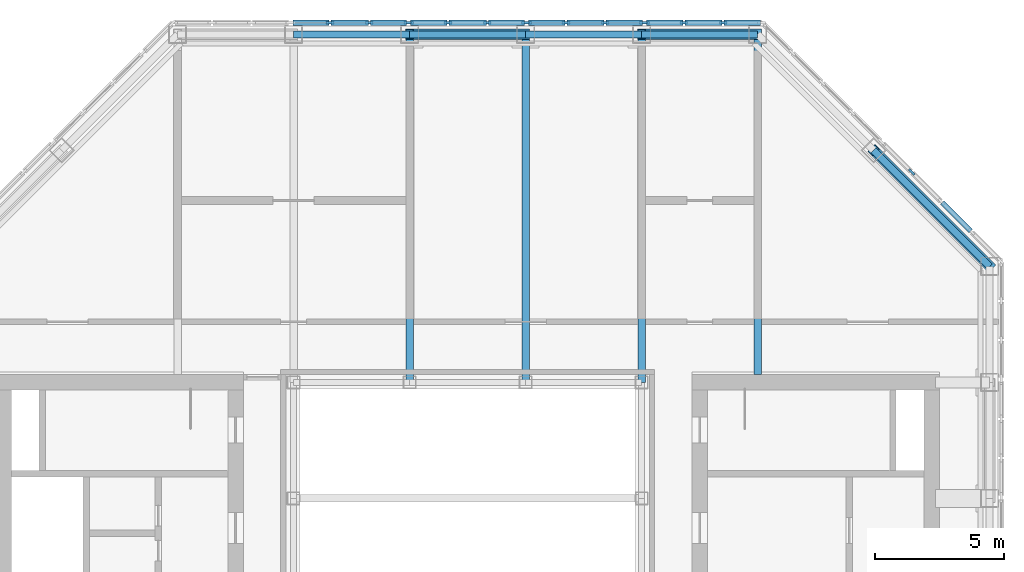
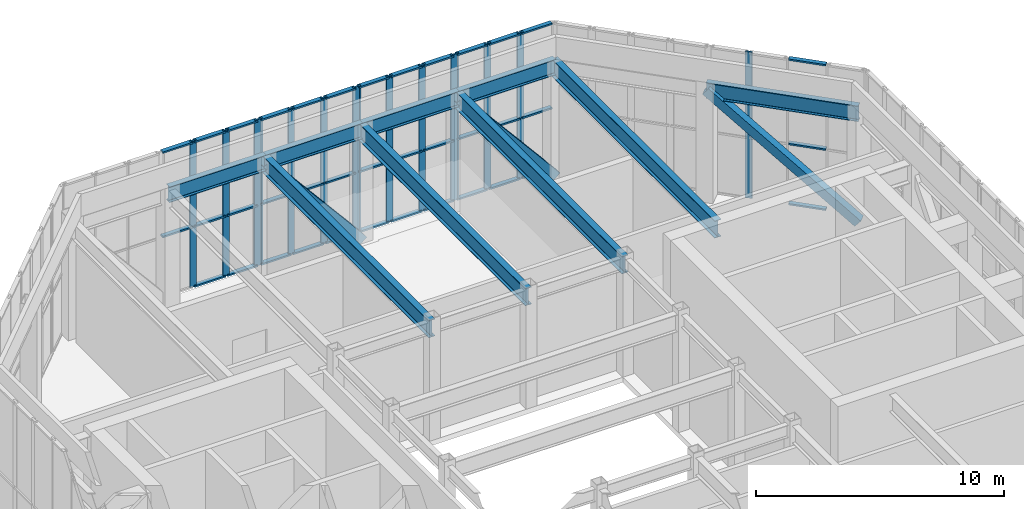
# One storey, part 8 of 15: 56 members, 9 beams, 5 elements without a shape of their own.
"""IFC4 building model written with IfcOpenShell, lengths in metres."""

from ifc_helpers import new_model, si_unit, direction, frame, origin, origin_2d, place, context, subcontext, project, spatial, rectangle, hollow_rectangle, i_section, extrude, material, material_profile, profile_set, type_object, element, aggregate, save


model = new_model("IFC4")

# Units and contexts
model_context = context("Model", 3, precision=1e-05, world=origin(), true_north=direction((0.0, 1.0)))
body_context = subcontext(model_context, "Body", "Model", "MODEL_VIEW")
ifc_project = project(units=[si_unit("LENGTHUNIT", "METRE"), si_unit("AREAUNIT", "SQUARE_METRE"), si_unit("VOLUMEUNIT", "CUBIC_METRE"), si_unit("PLANEANGLEUNIT", "RADIAN"), si_unit("MASSUNIT", "GRAM", prefix="KILO")], contexts=[model_context])

# Site, building, storey
site_placement = place(None, origin())
site = spatial("IfcSite", under=ifc_project, at=site_placement, CompositionType="ELEMENT")
building_placement = place(site_placement, origin())
building = spatial("IfcBuilding", under=site, at=building_placement, Name="Msasa Ring Tower", CompositionType="ELEMENT")
storey_placement = place(building_placement, frame((0.0, 0.0, 268.050048828125)))
storey = spatial("IfcBuildingStorey", under=building, at=storey_placement, Name="L69", CompositionType="ELEMENT", Elevation=268.050048828125)

# Curtain wall, members
ifc_material_1 = material(Name="Aluminium curtain wall with clear glass", Category="aluminium")
curtain_wall_type_1 = type_object("IfcCurtainWallType", Name="CW-L LANTERN CURTAIN WALL", PredefinedType="NOTDEFINED", material=ifc_material_1)
curtain_wall_1_placement = place(storey_placement, origin())
curtain_wall_1 = element("IfcCurtainWall", 1, at=curtain_wall_1_placement, inside=storey, type_object=curtain_wall_type_1, Name="Lantern curtain wall N2 L69", PredefinedType="NOTDEFINED")
ifc_material_2 = material(Name="Aluminium mullion", Category="aluminium")
ifc_material_profile_1 = material_profile(ifc_material_2, rectangle(XDim=0.080078125, YDim=0.300048828125, at=origin_2d()), Name="AL 80x300")
ifc_profile_set_1 = profile_set([ifc_material_profile_1], Name="Aluminium mullion")
member_type_1 = type_object("IfcMemberType", Name="CW-L MULLION 80x300", PredefinedType="MULLION", material=ifc_profile_set_1)
member_1_placement = place(storey_placement, frame((6.82177734375, 20.699951171875, 0.0), z_axis=(0.0, 0.0, 1.0), x_axis=(0.0, -1.0, 0.0)))
member_1 = element("IfcMember", 2, at=member_1_placement, type_object=member_type_1, Name="CW-L mullion 1", PredefinedType="MULLION", context=body_context, shape_type="SweptSolid", body=[
    extrude(rectangle(XDim=0.080078125, YDim=0.300048828125, at=origin_2d()), origin(), (0.0, 0.0, 1.0), 7.199951171875),
])
member_2_placement = place(storey_placement, frame((5.3369140625, 20.699951171875, 0.0), z_axis=(0.0, 0.0, 1.0), x_axis=(0.0, -1.0, 0.0)))
member_2 = element("IfcMember", 3, at=member_2_placement, type_object=member_type_1, Name="CW-L mullion 2", PredefinedType="MULLION", context=body_context, shape_type="SweptSolid", body=[
    extrude(rectangle(XDim=0.080078125, YDim=0.300048828125, at=origin_2d()), origin(), (0.0, 0.0, 1.0), 7.199951171875),
])
member_3_placement = place(storey_placement, frame((3.81201171875, 20.699951171875, 0.0), z_axis=(0.0, 0.0, 1.0), x_axis=(0.0, -1.0, 0.0)))
member_3 = element("IfcMember", 4, at=member_3_placement, type_object=member_type_1, Name="CW-L mullion 3", PredefinedType="MULLION", context=body_context, shape_type="SweptSolid", body=[
    extrude(rectangle(XDim=0.080078125, YDim=0.300048828125, at=origin_2d()), origin(), (0.0, 0.0, 1.0), 7.199951171875),
])
member_4_placement = place(storey_placement, frame((2.327392578125, 20.699951171875, 0.0), z_axis=(0.0, 0.0, 1.0), x_axis=(0.0, -1.0, 0.0)))
member_4 = element("IfcMember", 5, at=member_4_placement, type_object=member_type_1, Name="CW-L mullion 4", PredefinedType="MULLION", context=body_context, shape_type="SweptSolid", body=[
    extrude(rectangle(XDim=0.080078125, YDim=0.300048828125, at=origin_2d()), origin(), (0.0, 0.0, 1.0), 7.199951171875),
])

curtain_wall_2_placement = place(storey_placement, origin())
curtain_wall_2 = element("IfcCurtainWall", 6, at=curtain_wall_2_placement, inside=storey, type_object=curtain_wall_type_1, Name="Lantern curtain wall N4 L69", PredefinedType="NOTDEFINED")
member_5_placement = place(storey_placement, frame((-2.327392578125, 20.699951171875, 0.0), z_axis=(0.0, 0.0, 1.0), x_axis=(0.0, -1.0, 0.0)))
member_5 = element("IfcMember", 7, at=member_5_placement, type_object=member_type_1, Name="CW-L mullion 1", PredefinedType="MULLION", context=body_context, shape_type="SweptSolid", body=[
    extrude(rectangle(XDim=0.080078125, YDim=0.300048828125, at=origin_2d()), origin(), (0.0, 0.0, 1.0), 7.199951171875),
])
member_6_placement = place(storey_placement, frame((-3.81201171875, 20.699951171875, 0.0), z_axis=(0.0, 0.0, 1.0), x_axis=(0.0, -1.0, 0.0)))
member_6 = element("IfcMember", 8, at=member_6_placement, type_object=member_type_1, Name="CW-L mullion 2", PredefinedType="MULLION", context=body_context, shape_type="SweptSolid", body=[
    extrude(rectangle(XDim=0.080078125, YDim=0.300048828125, at=origin_2d()), origin(), (0.0, 0.0, 1.0), 7.199951171875),
])
member_7_placement = place(storey_placement, frame((-5.3369140625, 20.699951171875, 0.0), z_axis=(0.0, 0.0, 1.0), x_axis=(0.0, -1.0, 0.0)))
member_7 = element("IfcMember", 9, at=member_7_placement, type_object=member_type_1, Name="CW-L mullion 3", PredefinedType="MULLION", context=body_context, shape_type="SweptSolid", body=[
    extrude(rectangle(XDim=0.080078125, YDim=0.300048828125, at=origin_2d()), origin(), (0.0, 0.0, 1.0), 7.199951171875),
])

# Member
ifc_material_3 = material(Name="Aluminium transom", Category="aluminium")
ifc_material_profile_2 = material_profile(ifc_material_3, rectangle(XDim=0.199951171875, YDim=0.080078125, at=origin_2d()), Name="AL 80x200")
ifc_profile_set_2 = profile_set([ifc_material_profile_2], Name="Aluminium transom")
member_type_2 = type_object("IfcMemberType", Name="CW-L TRANSOM 80x200", PredefinedType="USERDEFINED", material=ifc_profile_set_2)
member_8_placement = place(storey_placement, frame((6.78173828125, 20.699951171875, 0.0400390625), z_axis=(-1.0, 0.0, 0.0), x_axis=(0.0, -1.0, 0.0)))
member_8 = element("IfcMember", 10, at=member_8_placement, type_object=member_type_2, Name="CW-L transom 1.1", ObjectType="TRANSOM", PredefinedType="USERDEFINED", context=body_context, shape_type="SweptSolid", body=[
    extrude(rectangle(XDim=0.199951171875, YDim=0.080078125, at=origin_2d()), origin(), (0.0, 0.0, 1.0), 1.40478515625),
])

member_9_placement = place(storey_placement, frame((6.78173828125, 20.699951171875, 3.0), z_axis=(-1.0, 0.0, 0.0), x_axis=(0.0, -1.0, 0.0)))
member_9 = element("IfcMember", 11, at=member_9_placement, type_object=member_type_2, Name="CW-L transom 1.2", ObjectType="TRANSOM", PredefinedType="USERDEFINED", context=body_context, shape_type="SweptSolid", body=[
    extrude(rectangle(XDim=0.199951171875, YDim=0.080078125, at=origin_2d()), origin(), (0.0, 0.0, 1.0), 1.40478515625),
])

member_10_placement = place(storey_placement, frame((6.78173828125, 20.699951171875, 7.159912109375), z_axis=(-1.0, 0.0, 0.0), x_axis=(0.0, -1.0, 0.0)))
member_10 = element("IfcMember", 12, at=member_10_placement, type_object=member_type_2, Name="CW-L transom 1.3", ObjectType="TRANSOM", PredefinedType="USERDEFINED", context=body_context, shape_type="SweptSolid", body=[
    extrude(rectangle(XDim=0.199951171875, YDim=0.080078125, at=origin_2d()), origin(), (0.0, 0.0, 1.0), 1.40478515625),
])

member_11_placement = place(storey_placement, frame((5.296875, 20.699951171875, 0.0400390625), z_axis=(-1.0, 0.0, 0.0), x_axis=(0.0, -1.0, 0.0)))
member_11 = element("IfcMember", 13, at=member_11_placement, type_object=member_type_2, Name="CW-L transom 2.1", ObjectType="TRANSOM", PredefinedType="USERDEFINED", context=body_context, shape_type="SweptSolid", body=[
    extrude(rectangle(XDim=0.199951171875, YDim=0.080078125, at=origin_2d()), origin(), (0.0, 0.0, 1.0), 1.44482421875),
])

member_12_placement = place(storey_placement, frame((5.296875, 20.699951171875, 3.0), z_axis=(-1.0, 0.0, 0.0), x_axis=(0.0, -1.0, 0.0)))
member_12 = element("IfcMember", 14, at=member_12_placement, type_object=member_type_2, Name="CW-L transom 2.2", ObjectType="TRANSOM", PredefinedType="USERDEFINED", context=body_context, shape_type="SweptSolid", body=[
    extrude(rectangle(XDim=0.199951171875, YDim=0.080078125, at=origin_2d()), origin(), (0.0, 0.0, 1.0), 1.44482421875),
])

member_13_placement = place(storey_placement, frame((5.296875, 20.699951171875, 7.159912109375), z_axis=(-1.0, 0.0, 0.0), x_axis=(0.0, -1.0, 0.0)))
member_13 = element("IfcMember", 15, at=member_13_placement, type_object=member_type_2, Name="CW-L transom 2.3", ObjectType="TRANSOM", PredefinedType="USERDEFINED", context=body_context, shape_type="SweptSolid", body=[
    extrude(rectangle(XDim=0.199951171875, YDim=0.080078125, at=origin_2d()), origin(), (0.0, 0.0, 1.0), 1.44482421875),
])

member_14_placement = place(storey_placement, frame((3.772216796875, 20.699951171875, 0.0400390625), z_axis=(-1.0, 0.0, 0.0), x_axis=(0.0, -1.0, 0.0)))
member_14 = element("IfcMember", 16, at=member_14_placement, type_object=member_type_2, Name="CW-L transom 3.1", ObjectType="TRANSOM", PredefinedType="USERDEFINED", context=body_context, shape_type="SweptSolid", body=[
    extrude(rectangle(XDim=0.199951171875, YDim=0.080078125, at=origin_2d()), origin(), (0.0, 0.0, 1.0), 1.405029296875),
])

member_15_placement = place(storey_placement, frame((3.772216796875, 20.699951171875, 3.0), z_axis=(-1.0, 0.0, 0.0), x_axis=(0.0, -1.0, 0.0)))
member_15 = element("IfcMember", 17, at=member_15_placement, type_object=member_type_2, Name="CW-L transom 3.2", ObjectType="TRANSOM", PredefinedType="USERDEFINED", context=body_context, shape_type="SweptSolid", body=[
    extrude(rectangle(XDim=0.199951171875, YDim=0.080078125, at=origin_2d()), origin(), (0.0, 0.0, 1.0), 1.405029296875),
])

member_16_placement = place(storey_placement, frame((3.772216796875, 20.699951171875, 7.159912109375), z_axis=(-1.0, 0.0, 0.0), x_axis=(0.0, -1.0, 0.0)))
member_16 = element("IfcMember", 18, at=member_16_placement, type_object=member_type_2, Name="CW-L transom 3.3", ObjectType="TRANSOM", PredefinedType="USERDEFINED", context=body_context, shape_type="SweptSolid", body=[
    extrude(rectangle(XDim=0.199951171875, YDim=0.080078125, at=origin_2d()), origin(), (0.0, 0.0, 1.0), 1.405029296875),
])

aggregate(curtain_wall_1, [member_1, member_2, member_3, member_4, member_8, member_9, member_10, member_11, member_12, member_13, member_14, member_15, member_16])

member_17_placement = place(storey_placement, frame((-2.3671875, 20.699951171875, 0.0400390625), z_axis=(-1.0, 0.0, 0.0), x_axis=(0.0, -1.0, 0.0)))
member_17 = element("IfcMember", 19, at=member_17_placement, type_object=member_type_2, Name="CW-L transom 1.1", ObjectType="TRANSOM", PredefinedType="USERDEFINED", context=body_context, shape_type="SweptSolid", body=[
    extrude(rectangle(XDim=0.199951171875, YDim=0.080078125, at=origin_2d()), origin(), (0.0, 0.0, 1.0), 1.405029296875),
])

member_18_placement = place(storey_placement, frame((-2.3671875, 20.699951171875, 3.0), z_axis=(-1.0, 0.0, 0.0), x_axis=(0.0, -1.0, 0.0)))
member_18 = element("IfcMember", 20, at=member_18_placement, type_object=member_type_2, Name="CW-L transom 1.2", ObjectType="TRANSOM", PredefinedType="USERDEFINED", context=body_context, shape_type="SweptSolid", body=[
    extrude(rectangle(XDim=0.199951171875, YDim=0.080078125, at=origin_2d()), origin(), (0.0, 0.0, 1.0), 1.405029296875),
])

member_19_placement = place(storey_placement, frame((-2.3671875, 20.699951171875, 7.159912109375), z_axis=(-1.0, 0.0, 0.0), x_axis=(0.0, -1.0, 0.0)))
member_19 = element("IfcMember", 21, at=member_19_placement, type_object=member_type_2, Name="CW-L transom 1.3", ObjectType="TRANSOM", PredefinedType="USERDEFINED", context=body_context, shape_type="SweptSolid", body=[
    extrude(rectangle(XDim=0.199951171875, YDim=0.080078125, at=origin_2d()), origin(), (0.0, 0.0, 1.0), 1.405029296875),
])

member_20_placement = place(storey_placement, frame((-3.85205078125, 20.699951171875, 0.0400390625), z_axis=(-1.0, 0.0, 0.0), x_axis=(0.0, -1.0, 0.0)))
member_20 = element("IfcMember", 22, at=member_20_placement, type_object=member_type_2, Name="CW-L transom 2.1", ObjectType="TRANSOM", PredefinedType="USERDEFINED", context=body_context, shape_type="SweptSolid", body=[
    extrude(rectangle(XDim=0.199951171875, YDim=0.080078125, at=origin_2d()), origin(), (0.0, 0.0, 1.0), 1.44482421875),
])

member_21_placement = place(storey_placement, frame((-3.85205078125, 20.699951171875, 3.0), z_axis=(-1.0, 0.0, 0.0), x_axis=(0.0, -1.0, 0.0)))
member_21 = element("IfcMember", 23, at=member_21_placement, type_object=member_type_2, Name="CW-L transom 2.2", ObjectType="TRANSOM", PredefinedType="USERDEFINED", context=body_context, shape_type="SweptSolid", body=[
    extrude(rectangle(XDim=0.199951171875, YDim=0.080078125, at=origin_2d()), origin(), (0.0, 0.0, 1.0), 1.44482421875),
])

member_22_placement = place(storey_placement, frame((-3.85205078125, 20.699951171875, 7.159912109375), z_axis=(-1.0, 0.0, 0.0), x_axis=(0.0, -1.0, 0.0)))
member_22 = element("IfcMember", 24, at=member_22_placement, type_object=member_type_2, Name="CW-L transom 2.3", ObjectType="TRANSOM", PredefinedType="USERDEFINED", context=body_context, shape_type="SweptSolid", body=[
    extrude(rectangle(XDim=0.199951171875, YDim=0.080078125, at=origin_2d()), origin(), (0.0, 0.0, 1.0), 1.44482421875),
])

member_23_placement = place(storey_placement, frame((-5.376953125, 20.699951171875, 3.0), z_axis=(-1.0, 0.0, 0.0), x_axis=(0.0, -1.0, 0.0)))
member_23 = element("IfcMember", 25, at=member_23_placement, type_object=member_type_2, Name="CW-L transom 3.2", ObjectType="TRANSOM", PredefinedType="USERDEFINED", context=body_context, shape_type="SweptSolid", body=[
    extrude(rectangle(XDim=0.199951171875, YDim=0.080078125, at=origin_2d()), origin(), (0.0, 0.0, 1.0), 1.40478515625),
])

member_24_placement = place(storey_placement, frame((-5.376953125, 20.699951171875, 7.159912109375), z_axis=(-1.0, 0.0, 0.0), x_axis=(0.0, -1.0, 0.0)))
member_24 = element("IfcMember", 26, at=member_24_placement, type_object=member_type_2, Name="CW-L transom 3.3", ObjectType="TRANSOM", PredefinedType="USERDEFINED", context=body_context, shape_type="SweptSolid", body=[
    extrude(rectangle(XDim=0.199951171875, YDim=0.080078125, at=origin_2d()), origin(), (0.0, 0.0, 1.0), 1.40478515625),
])

aggregate(curtain_wall_2, [member_5, member_6, member_7, member_17, member_18, member_19, member_20, member_21, member_22, member_23, member_24])

# Curtain wall, member
ifc_material_4 = material(Name="Aluminium curtain wall with insulated terracotta-faced panels", Category="masonry")
curtain_wall_type_2 = type_object("IfcCurtainWallType", Name="CW-O OPAQUE LANTERN CURTAIN WALL", PredefinedType="NOTDEFINED", material=ifc_material_4)
curtain_wall_3_placement = place(storey_placement, origin())
curtain_wall_3 = element("IfcCurtainWall", 27, at=curtain_wall_3_placement, inside=storey, type_object=curtain_wall_type_2, Name="Lantern opaque curtain wall NE1 L69", PredefinedType="NOTDEFINED")
ifc_material_5 = material(Name="Aluminium mullion", Category="aluminium")
ifc_material_profile_3 = material_profile(ifc_material_5, rectangle(XDim=0.080078125, YDim=0.300048828125, at=origin_2d()), Name="AL 80x300")
ifc_profile_set_3 = profile_set([ifc_material_profile_3], Name="Aluminium mullion")
member_type_3 = type_object("IfcMemberType", Name="CW-O MULLION 80x300", PredefinedType="MULLION", material=ifc_profile_set_3)
member_25_placement = place(storey_placement, frame((17.22607421875, 14.91015625, 0.0), z_axis=(0.0, 0.0, 1.0), x_axis=(-0.707106781187, -0.707106781187, 0.0)))
member_25 = element("IfcMember", 28, at=member_25_placement, type_object=member_type_3, Name="CW-O mullion 4", PredefinedType="MULLION", context=body_context, shape_type="SweptSolid", body=[
    extrude(rectangle(XDim=0.080078125, YDim=0.300048828125, at=origin_2d()), origin(), (0.0, 0.0, 1.0), 7.199951171875),
])

# Curtain wall, members
curtain_wall_4_placement = place(storey_placement, origin())
curtain_wall_4 = element("IfcCurtainWall", 29, at=curtain_wall_4_placement, inside=storey, type_object=curtain_wall_type_2, Name="Lantern opaque curtain wall N1 L69", PredefinedType="NOTDEFINED")
member_26_placement = place(storey_placement, frame((9.91162109375, 20.699951171875, 0.0), z_axis=(0.0, 0.0, 1.0), x_axis=(0.0, -1.0, 0.0)))
member_26 = element("IfcMember", 30, at=member_26_placement, type_object=member_type_3, Name="CW-O mullion 2", PredefinedType="MULLION", context=body_context, shape_type="SweptSolid", body=[
    extrude(rectangle(XDim=0.080078125, YDim=0.300048828125, at=origin_2d()), origin(), (0.0, 0.0, 1.0), 7.199951171875),
])
member_27_placement = place(storey_placement, frame((8.38671875, 20.699951171875, 0.0), z_axis=(0.0, 0.0, 1.0), x_axis=(0.0, -1.0, 0.0)))
member_27 = element("IfcMember", 31, at=member_27_placement, type_object=member_type_3, Name="CW-O mullion 3", PredefinedType="MULLION", context=body_context, shape_type="SweptSolid", body=[
    extrude(rectangle(XDim=0.080078125, YDim=0.300048828125, at=origin_2d()), origin(), (0.0, 0.0, 1.0), 7.199951171875),
])
member_28_placement = place(storey_placement, frame((6.90185546875, 20.699951171875, 0.0), z_axis=(0.0, 0.0, 1.0), x_axis=(0.0, -1.0, 0.0)))
member_28 = element("IfcMember", 32, at=member_28_placement, type_object=member_type_3, Name="CW-O mullion 4", PredefinedType="MULLION", context=body_context, shape_type="SweptSolid", body=[
    extrude(rectangle(XDim=0.080078125, YDim=0.300048828125, at=origin_2d()), origin(), (0.0, 0.0, 1.0), 7.199951171875),
])

curtain_wall_5_placement = place(storey_placement, origin())
curtain_wall_5 = element("IfcCurtainWall", 33, at=curtain_wall_5_placement, inside=storey, type_object=curtain_wall_type_2, Name="Lantern opaque curtain wall N3 L69", PredefinedType="NOTDEFINED")
member_29_placement = place(storey_placement, frame((2.247314453125, 20.699951171875, 0.0), z_axis=(0.0, 0.0, 1.0), x_axis=(0.0, -1.0, 0.0)))
member_29 = element("IfcMember", 34, at=member_29_placement, type_object=member_type_3, Name="CW-O mullion 1", PredefinedType="MULLION", context=body_context, shape_type="SweptSolid", body=[
    extrude(rectangle(XDim=0.080078125, YDim=0.300048828125, at=origin_2d()), origin(), (0.0, 0.0, 1.0), 7.199951171875),
])
member_30_placement = place(storey_placement, frame((0.762451171875, 20.699951171875, 0.0), z_axis=(0.0, 0.0, 1.0), x_axis=(0.0, -1.0, 0.0)))
member_30 = element("IfcMember", 35, at=member_30_placement, type_object=member_type_3, Name="CW-O mullion 2", PredefinedType="MULLION", context=body_context, shape_type="SweptSolid", body=[
    extrude(rectangle(XDim=0.080078125, YDim=0.300048828125, at=origin_2d()), origin(), (0.0, 0.0, 1.0), 7.199951171875),
])
member_31_placement = place(storey_placement, frame((-0.762451171875, 20.699951171875, 0.0), z_axis=(0.0, 0.0, 1.0), x_axis=(0.0, -1.0, 0.0)))
member_31 = element("IfcMember", 36, at=member_31_placement, type_object=member_type_3, Name="CW-O mullion 3", PredefinedType="MULLION", context=body_context, shape_type="SweptSolid", body=[
    extrude(rectangle(XDim=0.080078125, YDim=0.300048828125, at=origin_2d()), origin(), (0.0, 0.0, 1.0), 7.199951171875),
])
member_32_placement = place(storey_placement, frame((-2.247314453125, 20.699951171875, 0.0), z_axis=(0.0, 0.0, 1.0), x_axis=(0.0, -1.0, 0.0)))
member_32 = element("IfcMember", 37, at=member_32_placement, type_object=member_type_3, Name="CW-O mullion 4", PredefinedType="MULLION", context=body_context, shape_type="SweptSolid", body=[
    extrude(rectangle(XDim=0.080078125, YDim=0.300048828125, at=origin_2d()), origin(), (0.0, 0.0, 1.0), 7.199951171875),
])

# Member
ifc_material_6 = material(Name="Aluminium transom", Category="aluminium")
ifc_material_profile_4 = material_profile(ifc_material_6, rectangle(XDim=0.199951171875, YDim=0.080078125, at=origin_2d()), Name="AL 80x200")
ifc_profile_set_4 = profile_set([ifc_material_profile_4], Name="Aluminium transom")
member_type_4 = type_object("IfcMemberType", Name="CW-O TRANSOM 80x200", PredefinedType="USERDEFINED", material=ifc_profile_set_4)
member_33_placement = place(storey_placement, frame((19.513671875, 12.62255859375, 0.0400390625), z_axis=(-0.707028409696, 0.707185143992, 0.0), x_axis=(-0.707185143992, -0.707028409696, 0.0)))
member_33 = element("IfcMember", 38, at=member_33_placement, type_object=member_type_4, Name="CW-O transom 2.1", ObjectType="TRANSOM", PredefinedType="USERDEFINED", context=body_context, shape_type="SweptSolid", body=[
    extrude(rectangle(XDim=0.199951171875, YDim=0.080078125, at=origin_2d()), origin(), (0.0, 0.0, 1.0), 1.5576171875),
])

member_34_placement = place(storey_placement, frame((19.513671875, 12.62255859375, 3.0), z_axis=(-0.707028409696, 0.707185143992, 0.0), x_axis=(-0.707185143992, -0.707028409696, 0.0)))
member_34 = element("IfcMember", 39, at=member_34_placement, type_object=member_type_4, Name="CW-O transom 2.2", ObjectType="TRANSOM", PredefinedType="USERDEFINED", context=body_context, shape_type="SweptSolid", body=[
    extrude(rectangle(XDim=0.199951171875, YDim=0.080078125, at=origin_2d()), origin(), (0.0, 0.0, 1.0), 1.5576171875),
])

member_35_placement = place(storey_placement, frame((19.513671875, 12.62255859375, 7.159912109375), z_axis=(-0.707028409696, 0.707185143992, 0.0), x_axis=(-0.707185143992, -0.707028409696, 0.0)))
member_35 = element("IfcMember", 40, at=member_35_placement, type_object=member_type_4, Name="CW-O transom 2.3", ObjectType="TRANSOM", PredefinedType="USERDEFINED", context=body_context, shape_type="SweptSolid", body=[
    extrude(rectangle(XDim=0.199951171875, YDim=0.080078125, at=origin_2d()), origin(), (0.0, 0.0, 1.0), 1.5576171875),
])

aggregate(curtain_wall_3, [member_25, member_33, member_34, member_35])

member_36_placement = place(storey_placement, frame((11.3564453125, 20.699951171875, 0.0400390625), z_axis=(-1.0, 0.0, 0.0), x_axis=(0.0, -1.0, 0.0)))
member_36 = element("IfcMember", 41, at=member_36_placement, type_object=member_type_4, Name="CW-O transom 1.1", ObjectType="TRANSOM", PredefinedType="USERDEFINED", context=body_context, shape_type="SweptSolid", body=[
    extrude(rectangle(XDim=0.199951171875, YDim=0.080078125, at=origin_2d()), origin(), (0.0, 0.0, 1.0), 1.405029296875),
])

member_37_placement = place(storey_placement, frame((11.3564453125, 20.699951171875, 3.0), z_axis=(-1.0, 0.0, 0.0), x_axis=(0.0, -1.0, 0.0)))
member_37 = element("IfcMember", 42, at=member_37_placement, type_object=member_type_4, Name="CW-O transom 1.2", ObjectType="TRANSOM", PredefinedType="USERDEFINED", context=body_context, shape_type="SweptSolid", body=[
    extrude(rectangle(XDim=0.199951171875, YDim=0.080078125, at=origin_2d()), origin(), (0.0, 0.0, 1.0), 1.405029296875),
])

member_38_placement = place(storey_placement, frame((11.3564453125, 20.699951171875, 7.159912109375), z_axis=(-1.0, 0.0, 0.0), x_axis=(0.0, -1.0, 0.0)))
member_38 = element("IfcMember", 43, at=member_38_placement, type_object=member_type_4, Name="CW-O transom 1.3", ObjectType="TRANSOM", PredefinedType="USERDEFINED", context=body_context, shape_type="SweptSolid", body=[
    extrude(rectangle(XDim=0.199951171875, YDim=0.080078125, at=origin_2d()), origin(), (0.0, 0.0, 1.0), 1.405029296875),
])

member_39_placement = place(storey_placement, frame((9.87158203125, 20.699951171875, 0.0400390625), z_axis=(-1.0, 0.0, 0.0), x_axis=(0.0, -1.0, 0.0)))
member_39 = element("IfcMember", 44, at=member_39_placement, type_object=member_type_4, Name="CW-O transom 2.1", ObjectType="TRANSOM", PredefinedType="USERDEFINED", context=body_context, shape_type="SweptSolid", body=[
    extrude(rectangle(XDim=0.199951171875, YDim=0.080078125, at=origin_2d()), origin(), (0.0, 0.0, 1.0), 1.44482421875),
])

member_40_placement = place(storey_placement, frame((9.87158203125, 20.699951171875, 3.0), z_axis=(-1.0, 0.0, 0.0), x_axis=(0.0, -1.0, 0.0)))
member_40 = element("IfcMember", 45, at=member_40_placement, type_object=member_type_4, Name="CW-O transom 2.2", ObjectType="TRANSOM", PredefinedType="USERDEFINED", context=body_context, shape_type="SweptSolid", body=[
    extrude(rectangle(XDim=0.199951171875, YDim=0.080078125, at=origin_2d()), origin(), (0.0, 0.0, 1.0), 1.44482421875),
])

member_41_placement = place(storey_placement, frame((9.87158203125, 20.699951171875, 7.159912109375), z_axis=(-1.0, 0.0, 0.0), x_axis=(0.0, -1.0, 0.0)))
member_41 = element("IfcMember", 46, at=member_41_placement, type_object=member_type_4, Name="CW-O transom 2.3", ObjectType="TRANSOM", PredefinedType="USERDEFINED", context=body_context, shape_type="SweptSolid", body=[
    extrude(rectangle(XDim=0.199951171875, YDim=0.080078125, at=origin_2d()), origin(), (0.0, 0.0, 1.0), 1.44482421875),
])

member_42_placement = place(storey_placement, frame((8.3466796875, 20.699951171875, 0.0400390625), z_axis=(-1.0, 0.0, 0.0), x_axis=(0.0, -1.0, 0.0)))
member_42 = element("IfcMember", 47, at=member_42_placement, type_object=member_type_4, Name="CW-O transom 3.1", ObjectType="TRANSOM", PredefinedType="USERDEFINED", context=body_context, shape_type="SweptSolid", body=[
    extrude(rectangle(XDim=0.199951171875, YDim=0.080078125, at=origin_2d()), origin(), (0.0, 0.0, 1.0), 1.40478515625),
])

member_43_placement = place(storey_placement, frame((8.3466796875, 20.699951171875, 3.0), z_axis=(-1.0, 0.0, 0.0), x_axis=(0.0, -1.0, 0.0)))
member_43 = element("IfcMember", 48, at=member_43_placement, type_object=member_type_4, Name="CW-O transom 3.2", ObjectType="TRANSOM", PredefinedType="USERDEFINED", context=body_context, shape_type="SweptSolid", body=[
    extrude(rectangle(XDim=0.199951171875, YDim=0.080078125, at=origin_2d()), origin(), (0.0, 0.0, 1.0), 1.40478515625),
])

member_44_placement = place(storey_placement, frame((8.3466796875, 20.699951171875, 7.159912109375), z_axis=(-1.0, 0.0, 0.0), x_axis=(0.0, -1.0, 0.0)))
member_44 = element("IfcMember", 49, at=member_44_placement, type_object=member_type_4, Name="CW-O transom 3.3", ObjectType="TRANSOM", PredefinedType="USERDEFINED", context=body_context, shape_type="SweptSolid", body=[
    extrude(rectangle(XDim=0.199951171875, YDim=0.080078125, at=origin_2d()), origin(), (0.0, 0.0, 1.0), 1.40478515625),
])

aggregate(curtain_wall_4, [member_26, member_27, member_28, member_36, member_37, member_38, member_39, member_40, member_41, member_42, member_43, member_44])

member_45_placement = place(storey_placement, frame((2.207275390625, 20.699951171875, 0.0400390625), z_axis=(-1.0, 0.0, 0.0), x_axis=(0.0, -1.0, 0.0)))
member_45 = element("IfcMember", 50, at=member_45_placement, type_object=member_type_4, Name="CW-O transom 1.1", ObjectType="TRANSOM", PredefinedType="USERDEFINED", context=body_context, shape_type="SweptSolid", body=[
    extrude(rectangle(XDim=0.199951171875, YDim=0.080078125, at=origin_2d()), origin(), (0.0, 0.0, 1.0), 1.40478515625),
])

member_46_placement = place(storey_placement, frame((2.207275390625, 20.699951171875, 3.0), z_axis=(-1.0, 0.0, 0.0), x_axis=(0.0, -1.0, 0.0)))
member_46 = element("IfcMember", 51, at=member_46_placement, type_object=member_type_4, Name="CW-O transom 1.2", ObjectType="TRANSOM", PredefinedType="USERDEFINED", context=body_context, shape_type="SweptSolid", body=[
    extrude(rectangle(XDim=0.199951171875, YDim=0.080078125, at=origin_2d()), origin(), (0.0, 0.0, 1.0), 1.40478515625),
])

member_47_placement = place(storey_placement, frame((2.207275390625, 20.699951171875, 7.159912109375), z_axis=(-1.0, 0.0, 0.0), x_axis=(0.0, -1.0, 0.0)))
member_47 = element("IfcMember", 52, at=member_47_placement, type_object=member_type_4, Name="CW-O transom 1.3", ObjectType="TRANSOM", PredefinedType="USERDEFINED", context=body_context, shape_type="SweptSolid", body=[
    extrude(rectangle(XDim=0.199951171875, YDim=0.080078125, at=origin_2d()), origin(), (0.0, 0.0, 1.0), 1.40478515625),
])

member_48_placement = place(storey_placement, frame((0.722412109375, 20.699951171875, 0.0400390625), z_axis=(-1.0, 0.0, 0.0), x_axis=(0.0, -1.0, 0.0)))
member_48 = element("IfcMember", 53, at=member_48_placement, type_object=member_type_4, Name="CW-O transom 2.1", ObjectType="TRANSOM", PredefinedType="USERDEFINED", context=body_context, shape_type="SweptSolid", body=[
    extrude(rectangle(XDim=0.199951171875, YDim=0.080078125, at=origin_2d()), origin(), (0.0, 0.0, 1.0), 1.44482421875),
])

member_49_placement = place(storey_placement, frame((0.722412109375, 20.699951171875, 3.0), z_axis=(-1.0, 0.0, 0.0), x_axis=(0.0, -1.0, 0.0)))
member_49 = element("IfcMember", 54, at=member_49_placement, type_object=member_type_4, Name="CW-O transom 2.2", ObjectType="TRANSOM", PredefinedType="USERDEFINED", context=body_context, shape_type="SweptSolid", body=[
    extrude(rectangle(XDim=0.199951171875, YDim=0.080078125, at=origin_2d()), origin(), (0.0, 0.0, 1.0), 1.44482421875),
])

member_50_placement = place(storey_placement, frame((0.722412109375, 20.699951171875, 7.159912109375), z_axis=(-1.0, 0.0, 0.0), x_axis=(0.0, -1.0, 0.0)))
member_50 = element("IfcMember", 55, at=member_50_placement, type_object=member_type_4, Name="CW-O transom 2.3", ObjectType="TRANSOM", PredefinedType="USERDEFINED", context=body_context, shape_type="SweptSolid", body=[
    extrude(rectangle(XDim=0.199951171875, YDim=0.080078125, at=origin_2d()), origin(), (0.0, 0.0, 1.0), 1.44482421875),
])

member_51_placement = place(storey_placement, frame((-0.802490234375, 20.699951171875, 0.0400390625), z_axis=(-1.0, 0.0, 0.0), x_axis=(0.0, -1.0, 0.0)))
member_51 = element("IfcMember", 56, at=member_51_placement, type_object=member_type_4, Name="CW-O transom 3.1", ObjectType="TRANSOM", PredefinedType="USERDEFINED", context=body_context, shape_type="SweptSolid", body=[
    extrude(rectangle(XDim=0.199951171875, YDim=0.080078125, at=origin_2d()), origin(), (0.0, 0.0, 1.0), 1.40478515625),
])

member_52_placement = place(storey_placement, frame((-0.802490234375, 20.699951171875, 3.0), z_axis=(-1.0, 0.0, 0.0), x_axis=(0.0, -1.0, 0.0)))
member_52 = element("IfcMember", 57, at=member_52_placement, type_object=member_type_4, Name="CW-O transom 3.2", ObjectType="TRANSOM", PredefinedType="USERDEFINED", context=body_context, shape_type="SweptSolid", body=[
    extrude(rectangle(XDim=0.199951171875, YDim=0.080078125, at=origin_2d()), origin(), (0.0, 0.0, 1.0), 1.40478515625),
])

member_53_placement = place(storey_placement, frame((-0.802490234375, 20.699951171875, 7.159912109375), z_axis=(-1.0, 0.0, 0.0), x_axis=(0.0, -1.0, 0.0)))
member_53 = element("IfcMember", 58, at=member_53_placement, type_object=member_type_4, Name="CW-O transom 3.3", ObjectType="TRANSOM", PredefinedType="USERDEFINED", context=body_context, shape_type="SweptSolid", body=[
    extrude(rectangle(XDim=0.199951171875, YDim=0.080078125, at=origin_2d()), origin(), (0.0, 0.0, 1.0), 1.40478515625),
])

aggregate(curtain_wall_5, [member_29, member_30, member_31, member_32, member_45, member_46, member_47, member_48, member_49, member_50, member_51, member_52, member_53])

# Beams
ifc_material_7 = material(Name="Steel S355", Category="steel")
ifc_material_profile_5 = material_profile(ifc_material_7, i_section(OverallWidth=0.293701171875, OverallDepth=0.850830078125, WebThickness=0.01611328125, FlangeThickness=0.02685546875, FilletRadius=0.017822265625, at=origin_2d()), Name="UB 838x292x226")
ifc_profile_set_5 = profile_set([ifc_material_profile_5], Name="Steel S355")
beam_type_1 = type_object("IfcBeamType", Name="FB5 UB 838x292x226", PredefinedType="BEAM", material=ifc_profile_set_5)
for number, where, z_axis, x_axis, name in (
    (59, (-2.25, 20.25, 5.324462890625), (0.0, -1.0, 0.0), (1.0, 0.0, 0.0), "Floor beam N-2.25 under roof"),
    (60, (2.25, 20.25, 5.324462890625), (0.0, -1.0, 0.0), (1.0, 0.0, 0.0), "Floor beam N+2.25 under roof"),
    (61, (6.75, 20.25, 5.324462890625), (0.0, -1.0, 0.0), (1.0, 0.0, 0.0), "Floor beam N+6.75 under roof"),
):
    element("IfcBeam", number, at=place(storey_placement, frame(where, z_axis=z_axis, x_axis=x_axis)), inside=storey, type_object=beam_type_1, Name=name, PredefinedType="BEAM", context=body_context, shape_type="SweptSolid", body=[
        extrude(i_section(OverallWidth=0.293701171875, OverallDepth=0.850830078125, WebThickness=0.01611328125, FlangeThickness=0.02685546875, FilletRadius=0.017822265625, at=origin_2d()), origin(), (0.0, 0.0, 1.0), 13.5),
    ])
beam_1_placement = place(storey_placement, frame((11.25, 20.25, 5.324462890625), z_axis=(0.0, -1.0, 0.0), x_axis=(1.0, 0.0, 0.0)))
element("IfcBeam", 62, at=beam_1_placement, inside=storey, type_object=beam_type_1, Name="Floor beam N+11.25 under roof", PredefinedType="BEAM", context=body_context, shape_type="SweptSolid", body=[
    extrude(i_section(OverallWidth=0.293701171875, OverallDepth=0.850830078125, WebThickness=0.01611328125, FlangeThickness=0.02685546875, FilletRadius=0.017822265625, at=origin_2d()), origin(), (0.0, 0.0, 1.0), 13.199951171875),
])

# Members
ifc_material_8 = material(Name="Steel S355", Category="steel")
ifc_material_profile_6 = material_profile(ifc_material_8, hollow_rectangle(XDim=0.39990234375, YDim=0.39990234375, WallThickness=0.02001953125, at=origin_2d()), Name="SHS 400x400x20")
ifc_profile_set_6 = profile_set([ifc_material_profile_6], Name="Steel S355")
member_type_5 = type_object("IfcMemberType", Name="HT1 SHS 400x400x20", PredefinedType="BRACE", material=ifc_profile_set_6)
member_54_placement = place(storey_placement, frame((20.25, 11.25, 0.0), z_axis=(-0.540628323546, 0.540628323546, 0.644547928055), x_axis=(-0.707106781187, -0.707106781187, 0.0)))
element("IfcMember", 63, at=member_54_placement, inside=storey, type_object=member_type_5, Name="Hat truss brace E+11.25 L69", PredefinedType="BRACE", context=body_context, shape_type="SweptSolid", body=[
    extrude(hollow_rectangle(XDim=0.39990234375, YDim=0.39990234375, WallThickness=0.02001953125, at=origin_2d()), origin(), (0.0, 0.0, 1.0), 8.32373046875),
])
for number, where, z_axis, x_axis, name in (
    (64, (11.25, 20.25, 0.0), (-0.642639992049, 0.0, 0.766168284791), (0.0, -1.0, 0.0), "Hat truss brace N+11.25 L69"),
    (65, (2.25, 20.25, 0.0), (-0.642639992049, 0.0, 0.766168284791), (0.0, -1.0, 0.0), "Hat truss brace N+2.25 L69"),
):
    element("IfcMember", number, at=place(storey_placement, frame(where, z_axis=z_axis, x_axis=x_axis)), inside=storey, type_object=member_type_5, Name=name, PredefinedType="BRACE", context=body_context, shape_type="SweptSolid", body=[
        extrude(hollow_rectangle(XDim=0.39990234375, YDim=0.39990234375, WallThickness=0.02001953125, at=origin_2d()), origin(), (0.0, 0.0, 1.0), 7.00244140625),
    ])

# Beams
ifc_material_9 = material(Name="Steel S355", Category="steel")
ifc_material_profile_7 = material_profile(ifc_material_9, i_section(OverallWidth=0.26806640625, OverallDepth=0.769775390625, WebThickness=0.015625, FlangeThickness=0.025390625, FilletRadius=0.0166015625, at=origin_2d()), Name="UB 762x267x197")
ifc_profile_set_7 = profile_set([ifc_material_profile_7], Name="Steel S355")
beam_type_2 = type_object("IfcBeamType", Name="SB4 UB 762x267x197", PredefinedType="SPANDREL", material=ifc_profile_set_7)
beam_2_placement = place(storey_placement, frame((20.25, 11.25, 5.364990234375), z_axis=(-0.707106781187, 0.707106781187, 0.0), x_axis=(-0.707106781187, -0.707106781187, 0.0)))
element("IfcBeam", 66, at=beam_2_placement, inside=storey, type_object=beam_type_2, Name="Spandrel E+11.25 to NE under roof", PredefinedType="SPANDREL", context=body_context, shape_type="SweptSolid", body=[
    extrude(i_section(OverallWidth=0.26806640625, OverallDepth=0.769775390625, WebThickness=0.015625, FlangeThickness=0.025390625, FilletRadius=0.0166015625, at=origin_2d()), origin(), (0.0, 0.0, 1.0), 6.364013671875),
])
for number, where, z_axis, x_axis, name in (
    (67, (11.25, 20.25, 5.364990234375), (-1.0, 0.0, 0.0), (0.0, -1.0, 0.0), "Spandrel N+11.25 to N+6.75 under roof"),
    (68, (6.75, 20.25, 5.364990234375), (-1.0, 0.0, 0.0), (0.0, -1.0, 0.0), "Spandrel N+6.75 to N+2.25 under roof"),
    (69, (2.25, 20.25, 5.364990234375), (-1.0, 0.0, 0.0), (0.0, -1.0, 0.0), "Spandrel N+2.25 to N-2.25 under roof"),
    (70, (-2.25, 20.25, 5.364990234375), (-1.0, 0.0, 0.0), (0.0, -1.0, 0.0), "Spandrel N-2.25 to N-6.75 under roof"),
):
    element("IfcBeam", number, at=place(storey_placement, frame(where, z_axis=z_axis, x_axis=x_axis)), inside=storey, type_object=beam_type_2, Name=name, PredefinedType="SPANDREL", context=body_context, shape_type="SweptSolid", body=[
        extrude(i_section(OverallWidth=0.26806640625, OverallDepth=0.769775390625, WebThickness=0.015625, FlangeThickness=0.025390625, FilletRadius=0.0166015625, at=origin_2d()), origin(), (0.0, 0.0, 1.0), 4.5),
    ])

save(model, "model.ifc")
